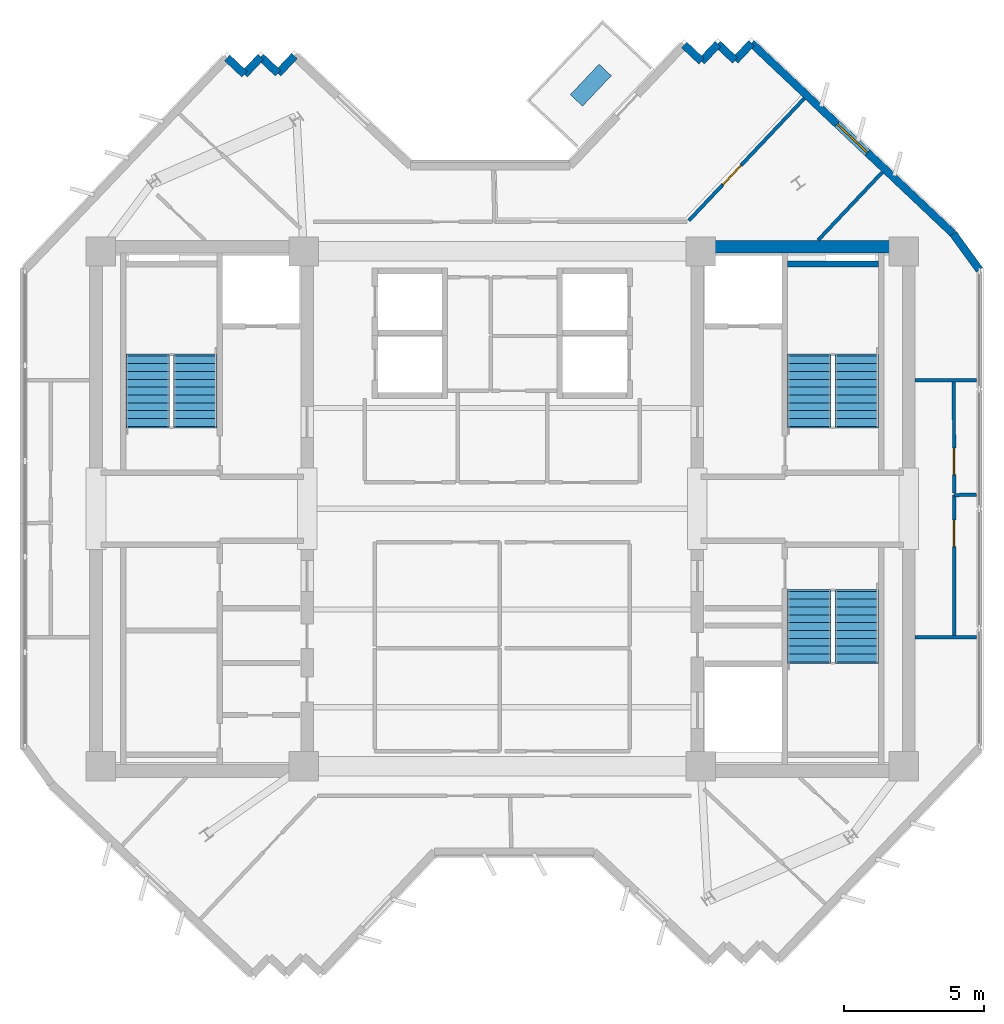
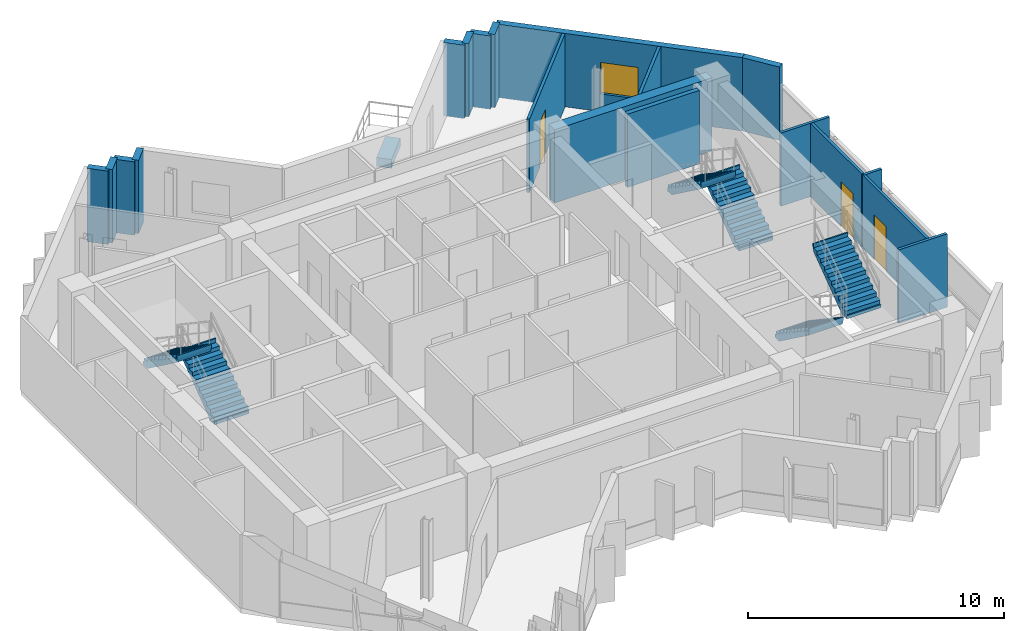
# One storey, part 7 of 9: 19 walls, 6 stair flights, 3 doors, 1 discrete accessory, 1 window, 4 openings, 3 elements without a shape of their own.
"""IFC4 building model written with IfcOpenShell, lengths in metres."""

from ifc_helpers import new_model, si_unit, direction, frame, frame_2d, origin, origin_2d, place, context, subcontext, project, spatial, polyline, rectangle, outline, extrude, source, transform, mapped, material, layer, layer_set, type_object, element, fill, aggregate, save


model = new_model("IFC4")

# Units and contexts
model_context = context("Model", 3, precision=1e-05, world=origin(), true_north=direction((0.0, 1.0)))
body_context = subcontext(model_context, "Body", "Model", "MODEL_VIEW")
ifc_project = project(units=[si_unit("LENGTHUNIT", "METRE"), si_unit("AREAUNIT", "SQUARE_METRE"), si_unit("VOLUMEUNIT", "CUBIC_METRE"), si_unit("PLANEANGLEUNIT", "RADIAN"), si_unit("MASSUNIT", "GRAM", prefix="KILO")], contexts=[model_context])

# Site, building, storey
site_placement = place(None, origin())
site = spatial("IfcSite", under=ifc_project, at=site_placement, CompositionType="ELEMENT")
building_placement = place(site_placement, origin())
building = spatial("IfcBuilding", under=site, at=building_placement, Name="Zahravan Cultural Tower", CompositionType="ELEMENT")
storey_placement = place(building_placement, frame((0.0, 0.0, 302.85009765625)))
storey = spatial("IfcBuildingStorey", under=building, at=storey_placement, Name="L73", CompositionType="ELEMENT", Elevation=302.85009765625)

# Wall, opening, window
ifc_material_1 = material(Name="Precast concrete C40/50", Category="concrete")
ifc_layer_1 = layer(ifc_material_1, 0.280029296875)
ifc_layer_set_1 = layer_set([ifc_layer_1], Name="Precast concrete C40/50")
wall_type_1 = type_object("IfcWallType", Name="EW-TC-280", PredefinedType="SOLIDWALL", material=ifc_layer_set_1)
wall_1_placement = place(storey_placement, frame((44.91015625, 43.648681640625, 0.0), z_axis=(0.0, 0.0, 1.0), x_axis=(0.726772856404, -0.686877875022, 0.0)))
wall_1 = element("IfcWall", 1, at=wall_1_placement, inside=storey, type_object=wall_type_1, Name="L73 Exterior Masonry Frame Wall 06", PredefinedType="SOLIDWALL", context=body_context, shape_type="SweptSolid", body=[
    extrude(rectangle(XDim=9.919921875, YDim=0.280029296875, at=frame_2d((4.9599609375, 0.0))), origin(), (0.0, 0.0, 1.0), 3.5),
])
opening_1_placement = place(wall_1_placement, frame((4.2099609375, 0.0, 0.85009765625)))
opening_1 = element("IfcOpeningElement", 2, at=opening_1_placement, cuts=wall_1, Name="Opening WN-03", PredefinedType="OPENING", context=body_context, shape_type="SweptSolid", body=[
    extrude(rectangle(XDim=1.5, YDim=1.5, at=frame_2d((0.75, 0.75))), frame((0.0, 0.14990234375, 0.0), z_axis=(0.0, -1.0, 0.0), x_axis=(1.0, 0.0, 0.0)), (0.0, 0.0, 1.0), 0.300048828125),
])
ifc_material_2 = material(Name="Low-E solar-control double glazing", Category="glass")
window_type = type_object("IfcWindowType", Name="WN-REC-1500X1500", PartitioningType="SINGLE_PANEL", PredefinedType="WINDOW", material=ifc_material_2)
shared_shape_1 = source(origin(), body_context, "Body", "SweptSolid", [
    extrude(rectangle(XDim=1.5, YDim=1.5, at=frame_2d((0.75, 0.75))), frame((0.0, 0.030029296875, 0.0), z_axis=(0.0, -1.0, 0.0), x_axis=(1.0, 0.0, 0.0)), (0.0, 0.0, 1.0), 0.06005859375),
])
window_placement = place(opening_1_placement, origin())
window = element("IfcWindow", 3, at=window_placement, inside=storey, type_object=window_type, Name="L73 Recessed Solar Window 01", OverallHeight=1.5, OverallWidth=1.5, PartitioningType="SINGLE_PANEL", PredefinedType="WINDOW", context=body_context, shape_type="MappedRepresentation", body=[
    mapped(shared_shape_1, transform((0.0, 0.0, 0.0), x_axis=(1.0, 0.0, 0.0), y_axis=(0.0, 1.0, 0.0), z_axis=(0.0, 0.0, 1.0), scale=1.0)),
])
fill(opening_1, window)

# Wall, opening, door
ifc_material_3 = material(Name="Gypsum plasterboard partition")
ifc_layer_2 = layer(ifc_material_3, 0.125)
ifc_layer_set_2 = layer_set([ifc_layer_2], Name="Gypsum plasterboard partition")
wall_type_2 = type_object("IfcWallType", Name="W-PART-125", PredefinedType="PARTITIONING", material=ifc_layer_set_2)
wall_2_placement = place(storey_placement, frame((52.1494140625, 22.470947265625, 0.0), z_axis=(0.0, 0.0, 1.0), x_axis=(9.7318865e-05, 0.999999995265, 0.0)))
wall_2 = element("IfcWall", 4, at=wall_2_placement, inside=storey, type_object=wall_type_2, Name="L73 Interior Wall 075", PredefinedType="PARTITIONING", context=body_context, shape_type="SweptSolid", body=[
    extrude(rectangle(XDim=5.017333984375, YDim=0.125, at=frame_2d((2.5087890625, 0.0))), origin(), (0.0, 0.0, 1.0), 3.5),
])
opening_2_placement = place(wall_2_placement, frame((3.172607421875, 0.0, 0.0)))
opening_2 = element("IfcOpeningElement", 5, at=opening_2_placement, cuts=wall_2, Name="Opening D-L73-30", PredefinedType="OPENING", context=body_context, shape_type="SweptSolid", body=[
    extrude(rectangle(XDim=0.949951171875, YDim=2.14990234375, at=frame_2d((0.47509765625, 1.074951171875))), frame((0.0, 0.072509765625, 0.0), z_axis=(0.0, -1.0, 0.0), x_axis=(1.0, 0.0, 0.0)), (0.0, 0.0, 1.0), 0.14501953125),
])
ifc_material_4 = material(Name="Anodised bronze-aluminium mullion", Category="aluminium")
door_type = type_object("IfcDoorType", Name="DR-ROOM-950", OperationType="NOTDEFINED", PredefinedType="DOOR", material=ifc_material_4)
shared_shape_2 = source(origin(), body_context, "Body", "SweptSolid", [
    extrude(rectangle(XDim=0.949951171875, YDim=2.14990234375, at=frame_2d((0.47509765625, 1.074951171875))), frame((0.0, 0.02490234375, 0.0), z_axis=(0.0, -1.0, 0.0), x_axis=(1.0, 0.0, 0.0)), (0.0, 0.0, 1.0), 0.050048828125),
])
door_1_placement = place(opening_2_placement, origin())
door_1 = element("IfcDoor", 6, at=door_1_placement, inside=storey, type_object=door_type, Name="L73 Door D-L73-30", OperationType="SINGLE_SWING_RIGHT", OverallHeight=2.14990234375, OverallWidth=0.949951171875, PredefinedType="DOOR", context=body_context, shape_type="MappedRepresentation", body=[
    mapped(shared_shape_2, transform((0.0, 0.0, 0.0), x_axis=(1.0, 0.0, 0.0), y_axis=(0.0, 1.0, 0.0), z_axis=(0.0, 0.0, 1.0), scale=1.0)),
])
fill(opening_2, door_1)

wall_3_placement = place(storey_placement, frame((42.67236328125, 37.306396484375, 0.0), z_axis=(0.0, 0.0, 1.0), x_axis=(0.686871949206, 0.726778456886, 0.0)))
wall_3 = element("IfcWall", 7, at=wall_3_placement, inside=storey, type_object=wall_type_2, Name="L73 Interior Wall 082", PredefinedType="PARTITIONING", context=body_context, shape_type="SweptSolid", body=[
    extrude(rectangle(XDim=6.00146484375, YDim=0.125, at=frame_2d((3.000732421875, 0.0))), origin(), (0.0, 0.0, 1.0), 3.5),
])
opening_3_placement = place(wall_3_placement, frame((1.76806640625, 0.0, 0.0)))
opening_3 = element("IfcOpeningElement", 8, at=opening_3_placement, cuts=wall_3, Name="Opening D-L73-32", PredefinedType="OPENING", context=body_context, shape_type="SweptSolid", body=[
    extrude(rectangle(XDim=0.949951171875, YDim=2.14990234375, at=frame_2d((0.47509765625, 1.074951171875))), frame((0.0, 0.072509765625, 0.0), z_axis=(0.0, -1.0, 0.0), x_axis=(1.0, 0.0, 0.0)), (0.0, 0.0, 1.0), 0.14501953125),
])
door_2_placement = place(opening_3_placement, origin())
door_2 = element("IfcDoor", 9, at=door_2_placement, inside=storey, type_object=door_type, Name="L73 Door D-L73-32", OperationType="SINGLE_SWING_RIGHT", OverallHeight=2.14990234375, OverallWidth=0.949951171875, PredefinedType="DOOR", context=body_context, shape_type="MappedRepresentation", body=[
    mapped(shared_shape_2, transform((0.0, 0.0, 0.0), x_axis=(1.0, 0.0, 0.0), y_axis=(0.0, 1.0, 0.0), z_axis=(0.0, 0.0, 1.0), scale=1.0)),
])
fill(opening_3, door_2)

wall_4_placement = place(storey_placement, frame((52.14990234375, 27.555908203125, 0.0), z_axis=(0.0, 0.0, 1.0), x_axis=(-0.000245639885, 0.999999969831, 0.0)))
wall_4 = element("IfcWall", 10, at=wall_4_placement, inside=storey, type_object=wall_type_2, Name="L73 Interior Wall 089", PredefinedType="PARTITIONING", context=body_context, shape_type="SweptSolid", body=[
    extrude(rectangle(XDim=3.9755859375, YDim=0.125, at=frame_2d((1.98779296875, 0.0))), origin(), (0.0, 0.0, 1.0), 3.5),
])
opening_4_placement = place(wall_4_placement, frame((0.665771484375, 0.0, 0.0)))
opening_4 = element("IfcOpeningElement", 11, at=opening_4_placement, cuts=wall_4, Name="Opening D-L73-23", PredefinedType="OPENING", context=body_context, shape_type="SweptSolid", body=[
    extrude(rectangle(XDim=0.949951171875, YDim=2.14990234375, at=frame_2d((0.47509765625, 1.074951171875))), frame((0.0, 0.072509765625, 0.0), z_axis=(0.0, -1.0, 0.0), x_axis=(1.0, 0.0, 0.0)), (0.0, 0.0, 1.0), 0.14501953125),
])
door_3_placement = place(opening_4_placement, origin())
door_3 = element("IfcDoor", 12, at=door_3_placement, inside=storey, type_object=door_type, Name="L73 Door D-L73-23", OperationType="SINGLE_SWING_LEFT", OverallHeight=2.14990234375, OverallWidth=0.949951171875, PredefinedType="DOOR", context=body_context, shape_type="MappedRepresentation", body=[
    mapped(shared_shape_2, transform((0.0, 0.0, 0.0), x_axis=(1.0, 0.0, 0.0), y_axis=(0.0, 1.0, 0.0), z_axis=(0.0, 0.0, 1.0), scale=1.0)),
])
fill(opening_4, door_3)

# Walls
ifc_material_5 = material(Name="Concrete C50/60", Category="concrete")
ifc_layer_3 = layer(ifc_material_5, 0.449951171875)
ifc_layer_set_3 = layer_set([ifc_layer_3], Name="Concrete C50/60")
wall_type_3 = type_object("IfcWallType", Name="CW-SHEAR-450-C50", PredefinedType="SHEAR", material=ifc_layer_set_3)
shared_shape_3 = source(origin(), body_context, "Body", "SweptSolid", [
    extrude(rectangle(XDim=7.10009765625, YDim=0.449951171875, at=frame_2d((3.550048828125, 0.0))), origin(), (0.0, 0.0, 1.0), 3.5),
])
wall_5_placement = place(storey_placement, frame((43.199951171875, 36.375, 0.0), z_axis=(0.0, 0.0, 1.0), x_axis=(1.0, 0.0, 0.0)))
element("IfcWall", 13, at=wall_5_placement, inside=storey, type_object=wall_type_3, Name="L73 Core Shear Wall CW-E-N-L73", PredefinedType="SHEAR", context=body_context, shape_type="MappedRepresentation", body=[
    mapped(shared_shape_3, transform((0.0, 0.0, 0.0), x_axis=(1.0, 0.0, 0.0), y_axis=(0.0, 1.0, 0.0), z_axis=(0.0, 0.0, 1.0), scale=1.0)),
])
shared_shape_4 = source(origin(), body_context, "Body", "SweptSolid", [
    extrude(rectangle(XDim=0.85009765625, YDim=0.280029296875, at=frame_2d((0.425048828125, 0.0))), origin(), (0.0, 0.0, 1.0), 3.5),
])
for number, where, z_axis, x_axis, name in (
    (14, (43.12451171875, 42.9970703125, 0.0), (0.0, 0.0, 1.0), (0.687011382404, 0.726646654466, 0.0), "L73 Exterior Masonry Frame Wall 03"),
    (15, (44.326171875, 43.031005859375, 0.0), (0.0, 0.0, 1.0), (0.687011382404, 0.726646654466, 0.0), "L73 Exterior Masonry Frame Wall 05"),
    (16, (26.78271484375, 42.535888671875, 0.0), (0.0, 0.0, 1.0), (0.687011382404, 0.726646654466, 0.0), "L73 Exterior Masonry Frame Wall 24"),
    (17, (27.984375, 42.56982421875, 0.0), (0.0, 0.0, 1.0), (0.687011382404, 0.726646654466, 0.0), "L73 Exterior Masonry Frame Wall 26"),
):
    element("IfcWall", number, at=place(storey_placement, frame(where, z_axis=z_axis, x_axis=x_axis)), inside=storey, type_object=wall_type_1, Name=name, PredefinedType="SOLIDWALL", context=body_context, shape_type="MappedRepresentation", body=[
        mapped(shared_shape_4, transform((0.0, 0.0, 0.0), x_axis=(1.0, 0.0, 0.0), y_axis=(0.0, 1.0, 0.0), z_axis=(0.0, 0.0, 1.0), scale=1.0)),
    ])
shared_shape_5 = source(origin(), body_context, "Body", "SweptSolid", [
    extrude(rectangle(XDim=0.849853515625, YDim=0.280029296875, at=frame_2d((0.4248046875, 0.0))), origin(), (0.0, 0.0, 1.0), 3.5),
])
for number, where, z_axis, x_axis, name in (
    (18, (42.5068359375, 43.580810546875, 0.0), (0.0, 0.0, 1.0), (0.726790047388, -0.686859685101, 0.0), "L73 Exterior Masonry Frame Wall 02"),
    (19, (43.70849609375, 43.61474609375, 0.0), (0.0, 0.0, 1.0), (0.726790047388, -0.686859685101, 0.0), "L73 Exterior Masonry Frame Wall 04"),
    (20, (26.1650390625, 43.11962890625, 0.0), (0.0, 0.0, 1.0), (0.726790047388, -0.686859685101, 0.0), "L73 Exterior Masonry Frame Wall 23"),
    (21, (27.36669921875, 43.153564453125, 0.0), (0.0, 0.0, 1.0), (0.726790047388, -0.686859685101, 0.0), "L73 Exterior Masonry Frame Wall 25"),
):
    element("IfcWall", number, at=place(storey_placement, frame(where, z_axis=z_axis, x_axis=x_axis)), inside=storey, type_object=wall_type_1, Name=name, PredefinedType="SOLIDWALL", context=body_context, shape_type="MappedRepresentation", body=[
        mapped(shared_shape_5, transform((0.0, 0.0, 0.0), x_axis=(1.0, 0.0, 0.0), y_axis=(0.0, 1.0, 0.0), z_axis=(0.0, 0.0, 1.0), scale=1.0)),
    ])
shared_shape_6 = source(origin(), body_context, "Body", "SweptSolid", [
    extrude(rectangle(XDim=1.598876953125, YDim=0.280029296875, at=frame_2d((0.79931640625, 0.0))), origin(), (0.0, 0.0, 1.0), 3.5),
])
wall_6_placement = place(storey_placement, frame((52.11962890625, 36.8349609375, 0.0), z_axis=(0.0, 0.0, 1.0), x_axis=(0.58820801539, -0.808709670173, 0.0)))
element("IfcWall", 22, at=wall_6_placement, inside=storey, type_object=wall_type_1, Name="L73 Exterior Masonry Frame Wall 07", PredefinedType="SOLIDWALL", context=body_context, shape_type="MappedRepresentation", body=[
    mapped(shared_shape_6, transform((0.0, 0.0, 0.0), x_axis=(1.0, 0.0, 0.0), y_axis=(0.0, 1.0, 0.0), z_axis=(0.0, 0.0, 1.0), scale=1.0)),
])
ifc_material_6 = material(Name="Concrete C45/55", Category="concrete")
ifc_layer_4 = layer(ifc_material_6, 0.199951171875)
ifc_layer_set_4 = layer_set([ifc_layer_4], Name="Concrete C45/55")
wall_type_4 = type_object("IfcWallType", Name="W-SHAFT-200", PredefinedType="SOLIDWALL", material=ifc_layer_set_4)
shared_shape_7 = source(origin(), body_context, "Body", "SweptSolid", [
    extrude(rectangle(XDim=3.25, YDim=0.199951171875, at=frame_2d((1.625, 0.0))), origin(), (0.0, 0.0, 1.0), 3.5),
])
wall_7_placement = place(storey_placement, frame((46.199951171875, 35.75, 0.0), z_axis=(0.0, 0.0, 1.0), x_axis=(1.0, 0.0, 0.0)))
element("IfcWall", 23, at=wall_7_placement, inside=storey, type_object=wall_type_4, Name="L73 Interior Wall 018", PredefinedType="SOLIDWALL", context=body_context, shape_type="MappedRepresentation", body=[
    mapped(shared_shape_7, transform((0.0, 0.0, 0.0), x_axis=(1.0, 0.0, 0.0), y_axis=(0.0, 1.0, 0.0), z_axis=(0.0, 0.0, 1.0), scale=1.0)),
])
shared_shape_8 = source(origin(), body_context, "Body", "SweptSolid", [
    extrude(rectangle(XDim=2.195068359375, YDim=0.125, at=frame_2d((1.09765625, 0.0))), origin(), (0.0, 0.0, 1.0), 3.5),
])
for number, where, z_axis, x_axis, name in (
    (24, (50.7548828125, 22.400146484375, 0.0), (0.0, 0.0, 1.0), (0.999997006375, 0.002446884011, 0.0), "L73 Interior Wall 074"),
    (25, (52.949951171875, 31.598388671875, 0.0), (0.0, 0.0, 1.0), (-0.999999696925, 0.000778556098, 0.0), "L73 Interior Wall 088"),
):
    element("IfcWall", number, at=place(storey_placement, frame(where, z_axis=z_axis, x_axis=x_axis)), inside=storey, type_object=wall_type_2, Name=name, PredefinedType="PARTITIONING", context=body_context, shape_type="MappedRepresentation", body=[
        mapped(shared_shape_8, transform((0.0, 0.0, 0.0), x_axis=(1.0, 0.0, 0.0), y_axis=(0.0, 1.0, 0.0), z_axis=(0.0, 0.0, 1.0), scale=1.0)),
    ])
shared_shape_9 = source(origin(), body_context, "Body", "SweptSolid", [
    extrude(rectangle(XDim=0.79541015625, YDim=0.125, at=frame_2d((0.397705078125, 0.0))), origin(), (0.0, 0.0, 1.0), 3.5),
])
wall_8_placement = place(storey_placement, frame((52.14990234375, 27.48828125, 0.0), z_axis=(0.0, 0.0, 1.0), x_axis=(0.999727865024, 0.023328006675, 0.0)))
element("IfcWall", 26, at=wall_8_placement, inside=storey, type_object=wall_type_2, Name="L73 Interior Wall 076", PredefinedType="PARTITIONING", context=body_context, shape_type="MappedRepresentation", body=[
    mapped(shared_shape_9, transform((0.0, 0.0, 0.0), x_axis=(1.0, 0.0, 0.0), y_axis=(0.0, 1.0, 0.0), z_axis=(0.0, 0.0, 1.0), scale=1.0)),
])
shared_shape_10 = source(origin(), body_context, "Body", "SweptSolid", [
    extrude(rectangle(XDim=3.33740234375, YDim=0.125, at=frame_2d((1.668701171875, 0.0))), origin(), (0.0, 0.0, 1.0), 3.5),
])
wall_9_placement = place(storey_placement, frame((49.58544921875, 39.030517578125, 0.0), z_axis=(0.0, 0.0, 1.0), x_axis=(-0.686891986515, -0.726759519278, 0.0)))
element("IfcWall", 27, at=wall_9_placement, inside=storey, type_object=wall_type_2, Name="L73 Interior Wall 081", PredefinedType="PARTITIONING", context=body_context, shape_type="MappedRepresentation", body=[
    mapped(shared_shape_10, transform((0.0, 0.0, 0.0), x_axis=(1.0, 0.0, 0.0), y_axis=(0.0, 1.0, 0.0), z_axis=(0.0, 0.0, 1.0), scale=1.0)),
])

# Stair, stair flights
stair_type = type_object("IfcStairType", Name="STR-DL-1550-375", PredefinedType="HALF_TURN_STAIR", material=ifc_material_6)
stair_1_placement = place(storey_placement, origin())
stair_1 = element("IfcStair", 28, at=stair_1_placement, inside=storey, type_object=stair_type, Name="L73 West Core North Exit Stair ST-W1", PredefinedType="HALF_TURN_STAIR")
stair_flight_type = type_object("IfcStairFlightType", Name="FLG-DL-1550-375", PredefinedType="STRAIGHT", material=ifc_material_6)
stair_flight_1_placement = place(storey_placement, frame((25.02490234375, 29.949951171875, 0.0), z_axis=(0.0, 0.0, 1.0), x_axis=(0.0, 1.0, 0.0)))
stair_flight_1 = element("IfcStairFlight", 29, at=stair_flight_1_placement, type_object=stair_flight_type, Name="ST-W1 flight 1", NumberOfRisers=10, NumberOfTreads=9, PredefinedType="STRAIGHT", RiserHeight=0.1875, TreadLength=0.28, context=body_context, shape_type="SweptSolid", body=[
    extrude(outline(polyline([(-0.06494140625, -0.139892578125), (-0.06494140625, 0.0), (0.0, 0.0), (0.0, 0.1875), (0.280029296875, 0.1875), (0.280029296875, 0.375), (0.56005859375, 0.375), (0.56005859375, 0.5625), (0.840087890625, 0.5625), (0.840087890625, 0.75), (1.1201171875, 0.75), (1.1201171875, 0.9375), (1.39990234375, 0.9375), (1.39990234375, 1.125), (1.679931640625, 1.125), (1.679931640625, 1.3125), (1.9599609375, 1.3125), (1.9599609375, 1.5), (2.239990234375, 1.5), (2.239990234375, 1.6875), (2.52001953125, 1.6875), (2.52001953125, 1.875), (2.5849609375, 1.875), (2.5849609375, 1.72509765625), (2.52001953125, 1.507080078125), (0.26953125, -0.139892578125), (-0.06494140625, -0.139892578125)])), frame((0.0, 0.77490234375, 0.0), z_axis=(0.0, -1.0, 0.0), x_axis=(1.0, 0.0, 0.0)), (0.0, 0.0, 1.0), 1.550048828125),
])
stair_flight_2_placement = place(storey_placement, frame((23.324951171875, 32.469970703125, 1.875), z_axis=(0.0, 0.0, 1.0), x_axis=(0.0, -1.0, 0.0)))
stair_flight_2 = element("IfcStairFlight", 30, at=stair_flight_2_placement, type_object=stair_flight_type, Name="ST-W1 flight 2", NumberOfRisers=10, NumberOfTreads=9, PredefinedType="STRAIGHT", RiserHeight=0.1875, TreadLength=0.28, context=body_context, shape_type="SweptSolid", body=[
    extrude(outline(polyline([(-0.06494140625, -0.139892578125), (-0.06494140625, 0.0), (0.0, 0.0), (0.0, 0.1875), (0.280029296875, 0.1875), (0.280029296875, 0.375), (0.56005859375, 0.375), (0.56005859375, 0.5625), (0.840087890625, 0.5625), (0.840087890625, 0.75), (1.1201171875, 0.75), (1.1201171875, 0.9375), (1.39990234375, 0.9375), (1.39990234375, 1.125), (1.679931640625, 1.125), (1.679931640625, 1.3125), (1.9599609375, 1.3125), (1.9599609375, 1.5), (2.239990234375, 1.5), (2.239990234375, 1.6875), (2.52001953125, 1.6875), (2.52001953125, 1.875), (2.5849609375, 1.875), (2.5849609375, 1.72509765625), (2.52001953125, 1.507080078125), (0.26953125, -0.139892578125), (-0.06494140625, -0.139892578125)])), frame((0.0, 0.77490234375, 0.0), z_axis=(0.0, -1.0, 0.0), x_axis=(1.0, 0.0, 0.0)), (0.0, 0.0, 1.0), 1.550048828125),
])
aggregate(stair_1, [stair_flight_1, stair_flight_2])

stair_2_placement = place(storey_placement, origin())
stair_2 = element("IfcStair", 31, at=stair_2_placement, inside=storey, type_object=stair_type, Name="L73 East Core North Exit Stair ST-E1", PredefinedType="HALF_TURN_STAIR")
stair_flight_3_placement = place(storey_placement, frame((48.675048828125, 29.949951171875, 0.0), z_axis=(0.0, 0.0, 1.0), x_axis=(0.0, 1.0, 0.0)))
stair_flight_3 = element("IfcStairFlight", 32, at=stair_flight_3_placement, type_object=stair_flight_type, Name="ST-E1 flight 1", NumberOfRisers=10, NumberOfTreads=9, PredefinedType="STRAIGHT", RiserHeight=0.1875, TreadLength=0.28, context=body_context, shape_type="SweptSolid", body=[
    extrude(outline(polyline([(-0.06494140625, -0.139892578125), (-0.06494140625, 0.0), (0.0, 0.0), (0.0, 0.1875), (0.280029296875, 0.1875), (0.280029296875, 0.375), (0.56005859375, 0.375), (0.56005859375, 0.5625), (0.840087890625, 0.5625), (0.840087890625, 0.75), (1.1201171875, 0.75), (1.1201171875, 0.9375), (1.39990234375, 0.9375), (1.39990234375, 1.125), (1.679931640625, 1.125), (1.679931640625, 1.3125), (1.9599609375, 1.3125), (1.9599609375, 1.5), (2.239990234375, 1.5), (2.239990234375, 1.6875), (2.52001953125, 1.6875), (2.52001953125, 1.875), (2.5849609375, 1.875), (2.5849609375, 1.72509765625), (2.52001953125, 1.507080078125), (0.26953125, -0.139892578125), (-0.06494140625, -0.139892578125)])), frame((0.0, 0.77490234375, 0.0), z_axis=(0.0, -1.0, 0.0), x_axis=(1.0, 0.0, 0.0)), (0.0, 0.0, 1.0), 1.550048828125),
])
stair_flight_4_placement = place(storey_placement, frame((46.97509765625, 32.469970703125, 1.875), z_axis=(0.0, 0.0, 1.0), x_axis=(0.0, -1.0, 0.0)))
stair_flight_4 = element("IfcStairFlight", 33, at=stair_flight_4_placement, type_object=stair_flight_type, Name="ST-E1 flight 2", NumberOfRisers=10, NumberOfTreads=9, PredefinedType="STRAIGHT", RiserHeight=0.1875, TreadLength=0.28, context=body_context, shape_type="SweptSolid", body=[
    extrude(outline(polyline([(-0.06494140625, -0.139892578125), (-0.06494140625, 0.0), (0.0, 0.0), (0.0, 0.1875), (0.280029296875, 0.1875), (0.280029296875, 0.375), (0.56005859375, 0.375), (0.56005859375, 0.5625), (0.840087890625, 0.5625), (0.840087890625, 0.75), (1.1201171875, 0.75), (1.1201171875, 0.9375), (1.39990234375, 0.9375), (1.39990234375, 1.125), (1.679931640625, 1.125), (1.679931640625, 1.3125), (1.9599609375, 1.3125), (1.9599609375, 1.5), (2.239990234375, 1.5), (2.239990234375, 1.6875), (2.52001953125, 1.6875), (2.52001953125, 1.875), (2.5849609375, 1.875), (2.5849609375, 1.72509765625), (2.52001953125, 1.507080078125), (0.26953125, -0.139892578125), (-0.06494140625, -0.139892578125)])), frame((0.0, 0.77490234375, 0.0), z_axis=(0.0, -1.0, 0.0), x_axis=(1.0, 0.0, 0.0)), (0.0, 0.0, 1.0), 1.550048828125),
])
aggregate(stair_2, [stair_flight_3, stair_flight_4])

stair_3_placement = place(storey_placement, origin())
stair_3 = element("IfcStair", 34, at=stair_3_placement, inside=storey, type_object=stair_type, Name="L73 East Core South Exit Stair ST-E2", PredefinedType="HALF_TURN_STAIR")
stair_flight_5_placement = place(storey_placement, frame((46.97509765625, 24.050048828125, 0.0), z_axis=(0.0, 0.0, 1.0), x_axis=(0.0, -1.0, 0.0)))
stair_flight_5 = element("IfcStairFlight", 35, at=stair_flight_5_placement, type_object=stair_flight_type, Name="ST-E2 flight 1", NumberOfRisers=10, NumberOfTreads=9, PredefinedType="STRAIGHT", RiserHeight=0.1875, TreadLength=0.28, context=body_context, shape_type="SweptSolid", body=[
    extrude(outline(polyline([(-0.06494140625, -0.139892578125), (-0.06494140625, 0.0), (0.0, 0.0), (0.0, 0.1875), (0.280029296875, 0.1875), (0.280029296875, 0.375), (0.56005859375, 0.375), (0.56005859375, 0.5625), (0.840087890625, 0.5625), (0.840087890625, 0.75), (1.1201171875, 0.75), (1.1201171875, 0.9375), (1.39990234375, 0.9375), (1.39990234375, 1.125), (1.679931640625, 1.125), (1.679931640625, 1.3125), (1.9599609375, 1.3125), (1.9599609375, 1.5), (2.239990234375, 1.5), (2.239990234375, 1.6875), (2.52001953125, 1.6875), (2.52001953125, 1.875), (2.5849609375, 1.875), (2.5849609375, 1.72509765625), (2.52001953125, 1.507080078125), (0.26953125, -0.139892578125), (-0.06494140625, -0.139892578125)])), frame((0.0, 0.77490234375, 0.0), z_axis=(0.0, -1.0, 0.0), x_axis=(1.0, 0.0, 0.0)), (0.0, 0.0, 1.0), 1.550048828125),
])
stair_flight_6_placement = place(storey_placement, frame((48.675048828125, 21.530029296875, 1.875), z_axis=(0.0, 0.0, 1.0), x_axis=(0.0, 1.0, 0.0)))
stair_flight_6 = element("IfcStairFlight", 36, at=stair_flight_6_placement, type_object=stair_flight_type, Name="ST-E2 flight 2", NumberOfRisers=10, NumberOfTreads=9, PredefinedType="STRAIGHT", RiserHeight=0.1875, TreadLength=0.28, context=body_context, shape_type="SweptSolid", body=[
    extrude(outline(polyline([(-0.06494140625, -0.139892578125), (-0.06494140625, 0.0), (0.0, 0.0), (0.0, 0.1875), (0.280029296875, 0.1875), (0.280029296875, 0.375), (0.56005859375, 0.375), (0.56005859375, 0.5625), (0.840087890625, 0.5625), (0.840087890625, 0.75), (1.1201171875, 0.75), (1.1201171875, 0.9375), (1.39990234375, 0.9375), (1.39990234375, 1.125), (1.679931640625, 1.125), (1.679931640625, 1.3125), (1.9599609375, 1.3125), (1.9599609375, 1.5), (2.239990234375, 1.5), (2.239990234375, 1.6875), (2.52001953125, 1.6875), (2.52001953125, 1.875), (2.5849609375, 1.875), (2.5849609375, 1.72509765625), (2.52001953125, 1.507080078125), (0.26953125, -0.139892578125), (-0.06494140625, -0.139892578125)])), frame((0.0, 0.77490234375, 0.0), z_axis=(0.0, -1.0, 0.0), x_axis=(1.0, 0.0, 0.0)), (0.0, 0.0, 1.0), 1.550048828125),
])
aggregate(stair_3, [stair_flight_5, stair_flight_6])

# Discrete accessory
ifc_material_7 = material(Name="Planted soil and terracotta planter", Category="masonry")
discrete_accessory_type = type_object("IfcDiscreteAccessoryType", Name="ACC-PLANTER-TC", PredefinedType="USERDEFINED", material=ifc_material_7)
shared_shape_11 = source(origin(), body_context, "Body", "SweptSolid", [
    extrude(rectangle(XDim=1.5, YDim=0.60009765625, at=origin_2d()), origin(), (0.0, 0.0, 1.0), 0.419921875),
])
discrete_accessory_placement = place(storey_placement, frame((39.164306640625, 42.144287109375, 0.0), z_axis=(0.0, 0.0, 1.0), x_axis=(0.686875706913, 0.726774905492, 0.0)))
element("IfcDiscreteAccessory", 37, at=discrete_accessory_placement, inside=storey, type_object=discrete_accessory_type, Name="L73 Terracotta Sculpture Planter NE", ObjectType="PLANTER", PredefinedType="USERDEFINED", context=body_context, shape_type="MappedRepresentation", body=[
    mapped(shared_shape_11, transform((0.0, 0.0, 0.0), x_axis=(1.0, 0.0, 0.0), y_axis=(0.0, 1.0, 0.0), z_axis=(0.0, 0.0, 1.0), scale=1.0)),
])

save(model, "model.ifc")
